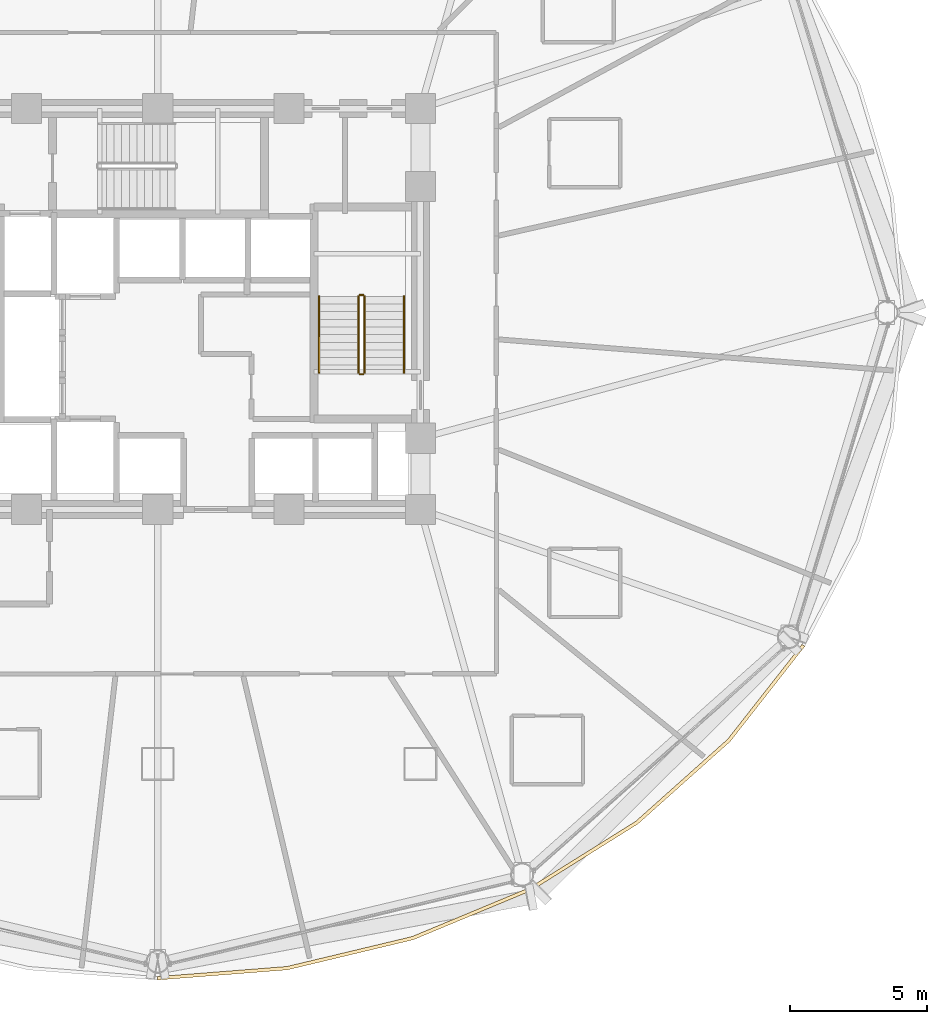
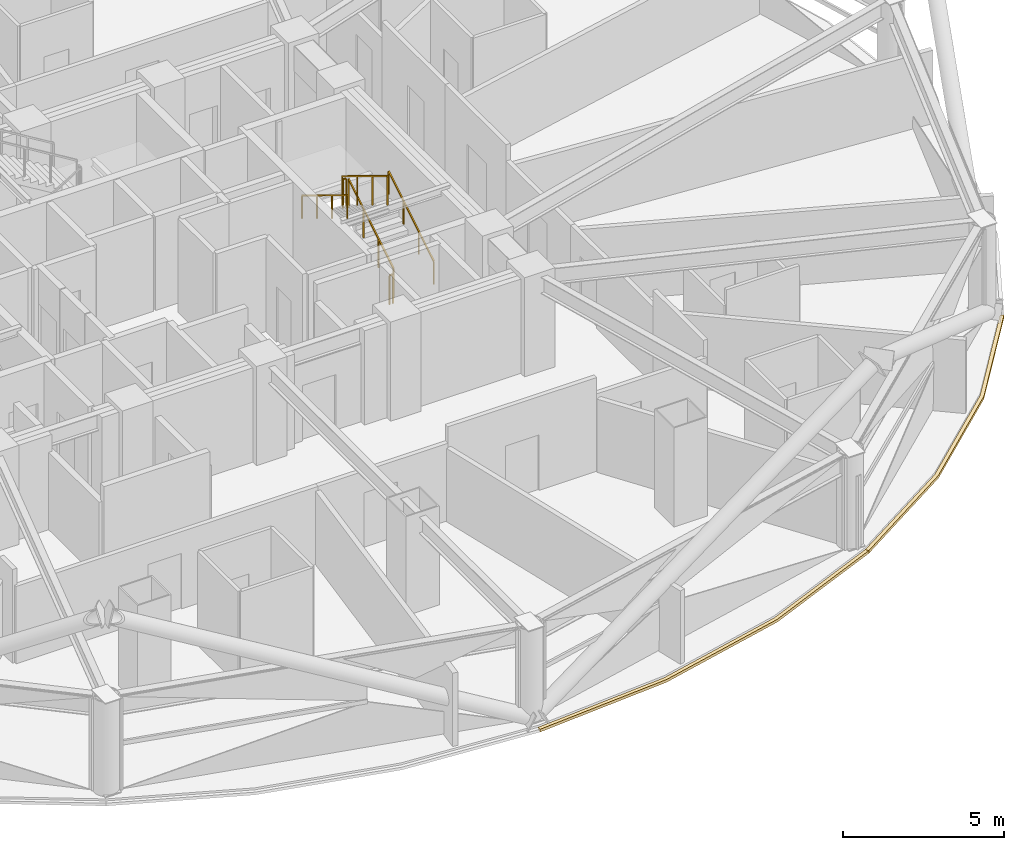
# One storey, part 29 of 30: 6 railings, 2 coverings.
"""IFC4 building model written with IfcOpenShell, lengths in metres."""

from ifc_helpers import new_model, si_unit, direction, frame, origin, origin_2d, place, context, subcontext, project, spatial, polyline, rectangle, outline, extrude, material, layer, layer_set, type_object, element, save


model = new_model("IFC4")

# Units and contexts
model_context = context("Model", 3, precision=1e-05, world=origin(), true_north=direction((0.0, 1.0)))
body_context = subcontext(model_context, "Body", "Model", "MODEL_VIEW")
ifc_project = project(units=[si_unit("LENGTHUNIT", "METRE"), si_unit("AREAUNIT", "SQUARE_METRE"), si_unit("VOLUMEUNIT", "CUBIC_METRE"), si_unit("PLANEANGLEUNIT", "RADIAN"), si_unit("MASSUNIT", "GRAM", prefix="KILO")], contexts=[model_context])

# Site, building, storey
site_placement = place(None, origin())
site = spatial("IfcSite", under=ifc_project, at=site_placement, CompositionType="ELEMENT")
building_placement = place(site_placement, origin())
building = spatial("IfcBuilding", under=site, at=building_placement, Name="Vantalir Tower", CompositionType="ELEMENT")
storey_placement = place(building_placement, frame((0.0, 0.0, 49.5)))
storey = spatial("IfcBuildingStorey", under=building, at=storey_placement, Name="L11", CompositionType="ELEMENT", Elevation=49.5)

# Coverings
ifc_material_1 = material(Name="Anodised champagne aluminium sill fascia", Category="aluminium")
ifc_layer = layer(ifc_material_1, 0.125)
ifc_layer_set = layer_set([ifc_layer], Name="Anodised champagne aluminium sill fascia")
covering_type = type_object("IfcCoveringType", Name="COV-SLAB-FASCIA-125", PredefinedType="CLADDING", material=ifc_layer_set)
covering_1_placement = place(storey_placement, frame((0.0, 0.0, -0.179931640625)))
element("IfcCovering", 1, at=covering_1_placement, inside=storey, type_object=covering_type, Name="L11 Perimeter Slab-Edge Sill Fascia 10", PredefinedType="CLADDING", context=body_context, shape_type="SweptSolid", body=[
    extrude(outline(polyline([(31.5, 0.59912109375), (36.242919921875, 0.969970703125), (40.842041015625, 2.071044921875), (45.156982421875, 3.867919921875), (45.094970703125, 3.97607421875), (40.799072265625, 2.18798828125), (36.220947265625, 1.093017578125), (31.5, 0.72412109375), (31.5, 0.59912109375)])), origin(), (0.0, 0.0, 1.0), 0.10498046875),
])
covering_2_placement = place(storey_placement, frame((0.0, 0.0, -0.179931640625)))
element("IfcCovering", 2, at=covering_2_placement, inside=storey, type_object=covering_type, Name="L11 Perimeter Slab-Edge Sill Fascia 11", PredefinedType="CLADDING", context=body_context, shape_type="SweptSolid", body=[
    extrude(outline(polyline([(45.156982421875, 3.867919921875), (49.056884765625, 6.30810546875), (52.424072265625, 9.31494140625), (55.155029296875, 12.799072265625), (55.0458984375, 12.862060546875), (52.327880859375, 9.39599609375), (48.97705078125, 6.404052734375), (45.094970703125, 3.97607421875), (45.156982421875, 3.867919921875)])), origin(), (0.0, 0.0, 1.0), 0.10498046875),
])

# Railings
ifc_material_2 = material(Name="Anodised aluminium and stainless steel guard", Category="steel")
railing_type_1 = type_object("IfcRailingType", Name="RAL-GUARD-1120", PredefinedType="GUARDRAIL", material=ifc_material_2)
railing_1_placement = place(storey_placement, frame((39.06005859375, 22.7900390625, 0.17041015625)))
element("IfcRailing", 3, at=railing_1_placement, inside=storey, type_object=railing_type_1, Name="L11 ST2 stair guard 1", PredefinedType="GUARDRAIL", context=body_context, shape_type="SweptSolid", body=[
    extrude(rectangle(XDim=0.048095703125, YDim=0.048095703125, at=origin_2d()), frame((0.0, 0.0, 1.09619140625), z_axis=(0.0, 0.854169791009, 0.51999420009), x_axis=(-1.0, 0.0, 0.0)), (0.0, 0.0, 1.0), 3.278076171875),
    extrude(rectangle(XDim=0.0419921875, YDim=0.0419921875, at=origin_2d()), origin(), (0.0, 0.0, 1.0), 1.072021484375),
    extrude(rectangle(XDim=0.0419921875, YDim=0.0419921875, at=origin_2d()), frame((0.0, 0.933349609375, 0.568115234375)), (0.0, 0.0, 1.0), 1.072021484375),
    extrude(rectangle(XDim=0.0419921875, YDim=0.0419921875, at=origin_2d()), frame((0.0, 1.86669921875, 1.136474609375)), (0.0, 0.0, 1.0), 1.072021484375),
    extrude(rectangle(XDim=0.0419921875, YDim=0.0419921875, at=origin_2d()), frame((0.0, 2.800048828125, 1.70458984375)), (0.0, 0.0, 1.0), 1.072021484375),
])
railing_2_placement = place(storey_placement, frame((39.010009765625, 25.639892578125, 1.875)))
element("IfcRailing", 4, at=railing_2_placement, inside=storey, type_object=railing_type_1, Name="L11 ST2 stair guard 2", PredefinedType="GUARDRAIL", context=body_context, shape_type="SweptSolid", body=[
    extrude(rectangle(XDim=0.048095703125, YDim=0.048095703125, at=origin_2d()), frame((0.0, 0.0, 1.09619140625), z_axis=(-1.0, 0.0, 0.0), x_axis=(0.0, -1.0, 0.0)), (0.0, 0.0, 1.0), 0.1201171875),
    extrude(rectangle(XDim=0.0419921875, YDim=0.0419921875, at=origin_2d()), origin(), (0.0, 0.0, 1.0), 1.072021484375),
    extrude(rectangle(XDim=0.0419921875, YDim=0.0419921875, at=origin_2d()), frame((-0.1201171875, 0.0, 0.0)), (0.0, 0.0, 1.0), 1.072021484375),
])
railing_3_placement = place(storey_placement, frame((38.840087890625, 25.590087890625, 2.04541015625)))
element("IfcRailing", 5, at=railing_3_placement, inside=storey, type_object=railing_type_1, Name="L11 ST2 stair guard 3", PredefinedType="GUARDRAIL", context=body_context, shape_type="SweptSolid", body=[
    extrude(rectangle(XDim=0.048095703125, YDim=0.048095703125, at=origin_2d()), frame((0.0, 0.0, 1.09619140625), z_axis=(0.0, -0.854169791009, 0.51999420009), x_axis=(1.0, 0.0, 0.0)), (0.0, 0.0, 1.0), 3.278076171875),
    extrude(rectangle(XDim=0.0419921875, YDim=0.0419921875, at=origin_2d()), origin(), (0.0, 0.0, 1.0), 1.072021484375),
    extrude(rectangle(XDim=0.0419921875, YDim=0.0419921875, at=origin_2d()), frame((0.0, -0.933349609375, 0.568115234375)), (0.0, 0.0, 1.0), 1.072021484375),
    extrude(rectangle(XDim=0.0419921875, YDim=0.0419921875, at=origin_2d()), frame((0.0, -1.86669921875, 1.136474609375)), (0.0, 0.0, 1.0), 1.072021484375),
    extrude(rectangle(XDim=0.0419921875, YDim=0.0419921875, at=origin_2d()), frame((0.0, -2.800048828125, 1.70458984375)), (0.0, 0.0, 1.0), 1.072021484375),
])
railing_4_placement = place(storey_placement, frame((39.010009765625, 22.739990234375, 0.0)))
element("IfcRailing", 6, at=railing_4_placement, inside=storey, type_object=railing_type_1, Name="L11 ST2 stair guard 4", PredefinedType="GUARDRAIL", context=body_context, shape_type="SweptSolid", body=[
    extrude(rectangle(XDim=0.048095703125, YDim=0.048095703125, at=origin_2d()), frame((0.0, 0.0, 1.09619140625), z_axis=(-1.0, 0.0, 0.0), x_axis=(0.0, -1.0, 0.0)), (0.0, 0.0, 1.0), 0.1201171875),
    extrude(rectangle(XDim=0.0419921875, YDim=0.0419921875, at=origin_2d()), origin(), (0.0, 0.0, 1.0), 1.072021484375),
    extrude(rectangle(XDim=0.0419921875, YDim=0.0419921875, at=origin_2d()), frame((-0.1201171875, 0.0, 0.0)), (0.0, 0.0, 1.0), 1.072021484375),
])
ifc_material_3 = material(Name="Brushed stainless steel tubular handrail", Category="steel")
railing_type_2 = type_object("IfcRailingType", Name="RAL-HANDRAIL-900", PredefinedType="HANDRAIL", material=ifc_material_3)
railing_5_placement = place(storey_placement, frame((40.5, 22.7900390625, 0.17041015625)))
element("IfcRailing", 7, at=railing_5_placement, inside=storey, type_object=railing_type_2, Name="L11 ST2 stair handrail 1", PredefinedType="HANDRAIL", context=body_context, shape_type="SweptSolid", body=[
    extrude(rectangle(XDim=0.048095703125, YDim=0.048095703125, at=origin_2d()), frame((0.0, 0.0, 0.8759765625), z_axis=(0.0, 0.854169791009, 0.51999420009), x_axis=(-1.0, 0.0, 0.0)), (0.0, 0.0, 1.0), 3.278076171875),
    extrude(rectangle(XDim=0.0419921875, YDim=0.0419921875, at=origin_2d()), origin(), (0.0, 0.0, 1.0), 0.851806640625),
    extrude(rectangle(XDim=0.0419921875, YDim=0.0419921875, at=origin_2d()), frame((0.0, 0.933349609375, 0.568115234375)), (0.0, 0.0, 1.0), 0.851806640625),
    extrude(rectangle(XDim=0.0419921875, YDim=0.0419921875, at=origin_2d()), frame((0.0, 1.86669921875, 1.136474609375)), (0.0, 0.0, 1.0), 0.851806640625),
    extrude(rectangle(XDim=0.0419921875, YDim=0.0419921875, at=origin_2d()), frame((0.0, 2.800048828125, 1.70458984375)), (0.0, 0.0, 1.0), 0.851806640625),
])
railing_6_placement = place(storey_placement, frame((37.39990234375, 25.590087890625, 2.04541015625)))
element("IfcRailing", 8, at=railing_6_placement, inside=storey, type_object=railing_type_2, Name="L11 ST2 stair handrail 2", PredefinedType="HANDRAIL", context=body_context, shape_type="SweptSolid", body=[
    extrude(rectangle(XDim=0.048095703125, YDim=0.048095703125, at=origin_2d()), frame((0.0, 0.0, 0.8759765625), z_axis=(0.0, -0.854169791009, 0.51999420009), x_axis=(1.0, 0.0, 0.0)), (0.0, 0.0, 1.0), 3.278076171875),
    extrude(rectangle(XDim=0.0419921875, YDim=0.0419921875, at=origin_2d()), origin(), (0.0, 0.0, 1.0), 0.851806640625),
    extrude(rectangle(XDim=0.0419921875, YDim=0.0419921875, at=origin_2d()), frame((0.0, -0.933349609375, 0.568115234375)), (0.0, 0.0, 1.0), 0.851806640625),
    extrude(rectangle(XDim=0.0419921875, YDim=0.0419921875, at=origin_2d()), frame((0.0, -1.86669921875, 1.136474609375)), (0.0, 0.0, 1.0), 0.851806640625),
    extrude(rectangle(XDim=0.0419921875, YDim=0.0419921875, at=origin_2d()), frame((0.0, -2.800048828125, 1.70458984375)), (0.0, 0.0, 1.0), 0.851806640625),
])

save(model, "model.ifc")
